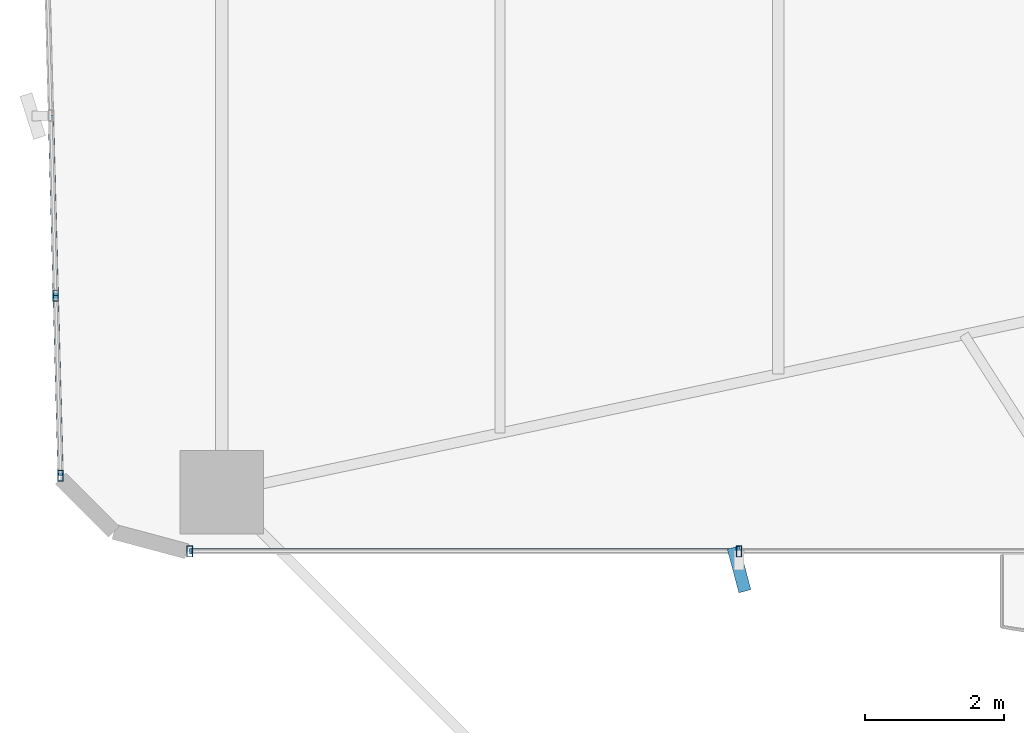
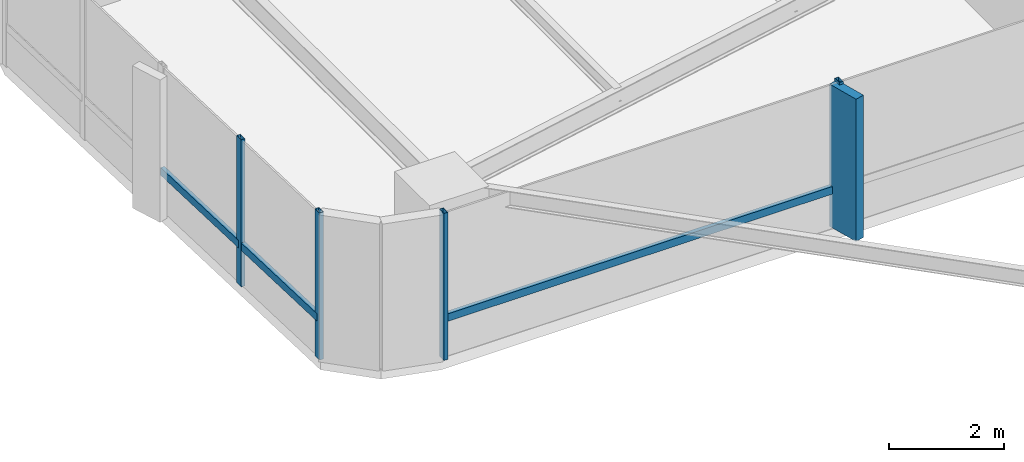
# One storey, part 6 of 25: 8 members, 2 elements without a shape of their own.
"""IFC4 building model written with IfcOpenShell, lengths in metres."""

from ifc_helpers import new_model, si_unit, direction, frame, origin, origin_2d, place, context, subcontext, project, spatial, rectangle, hollow_rectangle, extrude, source, transform, mapped, material, material_profile, profile_set, type_object, element, aggregate, save


model = new_model("IFC4")

# Units and contexts
model_context = context("Model", 3, precision=1e-05, world=origin(), true_north=direction((0.0, 1.0)))
body_context = subcontext(model_context, "Body", "Model", "MODEL_VIEW")
ifc_project = project(units=[si_unit("LENGTHUNIT", "METRE"), si_unit("AREAUNIT", "SQUARE_METRE"), si_unit("VOLUMEUNIT", "CUBIC_METRE"), si_unit("PLANEANGLEUNIT", "RADIAN"), si_unit("MASSUNIT", "GRAM", prefix="KILO")], contexts=[model_context])

# Site, building, storey
site_placement = place(None, origin())
site = spatial("IfcSite", under=ifc_project, at=site_placement, CompositionType="ELEMENT")
building_placement = place(site_placement, origin())
building = spatial("IfcBuilding", under=site, at=building_placement, Name="Sahyath Konkavel Grand Hotel", CompositionType="ELEMENT")
storey_placement = place(building_placement, frame((0.0, 0.0, 64.449951171875)))
storey = spatial("IfcBuildingStorey", under=building, at=storey_placement, Name="L17", CompositionType="ELEMENT", Elevation=64.449951171875)

# Curtain wall, members
ifc_material_1 = material(Name="Anodised Bronze Aluminium & Low-E Glazing", Category="aluminium")
curtain_wall_type = type_object("IfcCurtainWallType", Name="CW-ZONE1", PredefinedType="NOTDEFINED", material=ifc_material_1)
curtain_wall_1_placement = place(storey_placement, origin())
curtain_wall_1 = element("IfcCurtainWall", 1, at=curtain_wall_1_placement, inside=storey, type_object=curtain_wall_type, Name="L17 Unitised Curtain Wall F23", PredefinedType="NOTDEFINED")
ifc_material_2 = material(Name="Warm Buff Sandstone Cladding on Concrete C50/60", Category="masonry")
ifc_material_profile_1 = material_profile(ifc_material_2, rectangle(XDim=0.179931640625, YDim=0.64990234375, at=origin_2d()), Name="FIN 180x650")
ifc_profile_set_1 = profile_set([ifc_material_profile_1], Name="Warm Buff Sandstone Cladding on Concrete C50/60")
member_type_1 = type_object("IfcMemberType", Name="FIN-SANDSTONE-650", PredefinedType="MULLION", material=ifc_profile_set_1)
shared_shape_1 = source(origin(), body_context, "Body", "SweptSolid", [
    extrude(rectangle(XDim=0.179931640625, YDim=0.64990234375, at=origin_2d()), origin(), (0.0, 0.0, 1.0), 3.010009765625),
])
member_1_placement = place(storey_placement, frame((-14.75, -7.06005859375, 0.050048828125), z_axis=(0.0, 0.0, 1.0), x_axis=(0.966420942741, 0.256964124795, 0.0)))
member_1 = element("IfcMember", 2, at=member_1_placement, type_object=member_type_1, Name="L17 Sandstone Vertical Solar Fin FIN F23-1", PredefinedType="MULLION", context=body_context, shape_type="MappedRepresentation", body=[
    mapped(shared_shape_1, transform((0.0, 0.0, 0.0), scale=1.0)),
])
ifc_material_3 = material(Name="Anodised Bronze Aluminium", Category="aluminium")
ifc_material_profile_2 = material_profile(ifc_material_3, hollow_rectangle(XDim=0.080078125, YDim=0.159912109375, WallThickness=0.006103515625, at=origin_2d()), Name="RHS 160x80x6")
ifc_profile_set_2 = profile_set([ifc_material_profile_2], Name="Anodised Bronze Aluminium")
member_type_2 = type_object("IfcMemberType", Name="CW-TRN-160", PredefinedType="USERDEFINED", material=ifc_profile_set_2)
shared_shape_2 = source(origin(), body_context, "Body", "SweptSolid", [
    extrude(hollow_rectangle(XDim=0.080078125, YDim=0.159912109375, WallThickness=0.006103515625, at=origin_2d()), origin(), (0.0, 0.0, 1.0), 7.909912109375),
])
member_2_placement = place(storey_placement, frame((-22.659912109375, -6.800048828125, 0.85009765625), z_axis=(1.0, 0.0, 0.0), x_axis=(0.0, 1.0, 0.0)))
member_2 = element("IfcMember", 3, at=member_2_placement, type_object=member_type_2, Name="L17 Curtain Wall Transom F23-0-spandrel", ObjectType="TRANSOM", PredefinedType="USERDEFINED", context=body_context, shape_type="MappedRepresentation", body=[
    mapped(shared_shape_2, transform((0.0, 0.0, 0.0), scale=1.0)),
])

curtain_wall_2_placement = place(storey_placement, origin())
curtain_wall_2 = element("IfcCurtainWall", 4, at=curtain_wall_2_placement, inside=storey, type_object=curtain_wall_type, Name="L17 Unitised Curtain Wall F20", PredefinedType="NOTDEFINED")
shared_shape_3 = source(origin(), body_context, "Body", "SweptSolid", [
    extrude(hollow_rectangle(XDim=0.080078125, YDim=0.159912109375, WallThickness=0.006103515625, at=origin_2d()), origin(), (0.0, 0.0, 1.0), 2.593505859375),
])
member_3_placement = place(storey_placement, frame((-24.6591796875, -0.52490234375, 0.85009765625), z_axis=(0.02682902444, -0.999640036937, 0.0), x_axis=(0.999640036937, 0.02682902444, 0.0)))
member_3 = element("IfcMember", 5, at=member_3_placement, type_object=member_type_2, Name="L17 Curtain Wall Transom F20-2-spandrel", ObjectType="TRANSOM", PredefinedType="USERDEFINED", context=body_context, shape_type="MappedRepresentation", body=[
    mapped(shared_shape_3, transform((0.0, 0.0, 0.0), scale=1.0)),
])
member_4_placement = place(storey_placement, frame((-24.589599609375, -3.117431640625, 0.85009765625), z_axis=(0.026923093252, -0.999637507825, 0.0), x_axis=(0.999637507825, 0.026923093252, 0.0)))
member_4 = element("IfcMember", 6, at=member_4_placement, type_object=member_type_2, Name="L17 Curtain Wall Transom F20-3-spandrel", ObjectType="TRANSOM", PredefinedType="USERDEFINED", context=body_context, shape_type="MappedRepresentation", body=[
    mapped(shared_shape_3, transform((0.0, 0.0, 0.0), scale=1.0)),
])
ifc_material_profile_3 = material_profile(ifc_material_3, hollow_rectangle(XDim=0.080078125, YDim=0.159912109375, WallThickness=0.006103515625, at=origin_2d()), Name="RHS 160x80x6")
ifc_profile_set_3 = profile_set([ifc_material_profile_3], Name="Anodised Bronze Aluminium")
member_type_3 = type_object("IfcMemberType", Name="CW-MUL-160", PredefinedType="MULLION", material=ifc_profile_set_3)
shared_shape_4 = source(origin(), body_context, "Body", "SweptSolid", [
    extrude(hollow_rectangle(XDim=0.080078125, YDim=0.159912109375, WallThickness=0.006103515625, at=origin_2d()), origin(), (0.0, 0.0, 1.0), 3.110107421875),
])
member_5_placement = place(storey_placement, frame((-24.589599609375, -3.117431640625, 0.0), z_axis=(0.0, 0.0, 1.0), x_axis=(1.0, 0.0, 0.0)))
member_5 = element("IfcMember", 7, at=member_5_placement, type_object=member_type_3, Name="L17 Curtain Wall Mullion F20-3", PredefinedType="MULLION", context=body_context, shape_type="MappedRepresentation", body=[
    mapped(shared_shape_4, transform((0.0, 0.0, 0.0), scale=1.0)),
])
member_6_placement = place(storey_placement, frame((-24.519775390625, -5.7099609375, 0.0), z_axis=(0.0, 0.0, 1.0), x_axis=(1.0, 0.0, 0.0)))
member_6 = element("IfcMember", 8, at=member_6_placement, type_object=member_type_3, Name="L17 Curtain Wall Mullion F20-4", PredefinedType="MULLION", context=body_context, shape_type="MappedRepresentation", body=[
    mapped(shared_shape_4, transform((0.0, 0.0, 0.0), scale=1.0)),
])
aggregate(curtain_wall_2, [member_5, member_6, member_3, member_4])

# Member
member_7_placement = place(storey_placement, frame((-22.659912109375, -6.800048828125, 0.0), z_axis=(0.0, 0.0, 1.0), x_axis=(1.0, 0.0, 0.0)))
member_7 = element("IfcMember", 9, at=member_7_placement, type_object=member_type_3, Name="L17 Curtain Wall Mullion F23-0", PredefinedType="MULLION", context=body_context, shape_type="MappedRepresentation", body=[
    mapped(shared_shape_4, transform((0.0, 0.0, 0.0), scale=1.0)),
])

member_8_placement = place(storey_placement, frame((-14.75, -6.800048828125, 0.0), z_axis=(0.0, 0.0, 1.0), x_axis=(1.0, 0.0, 0.0)))
member_8 = element("IfcMember", 10, at=member_8_placement, type_object=member_type_3, Name="L17 Curtain Wall Mullion F23-1", PredefinedType="MULLION", context=body_context, shape_type="MappedRepresentation", body=[
    mapped(shared_shape_4, transform((0.0, 0.0, 0.0), scale=1.0)),
])

aggregate(curtain_wall_1, [member_7, member_8, member_1, member_2])

save(model, "model.ifc")
